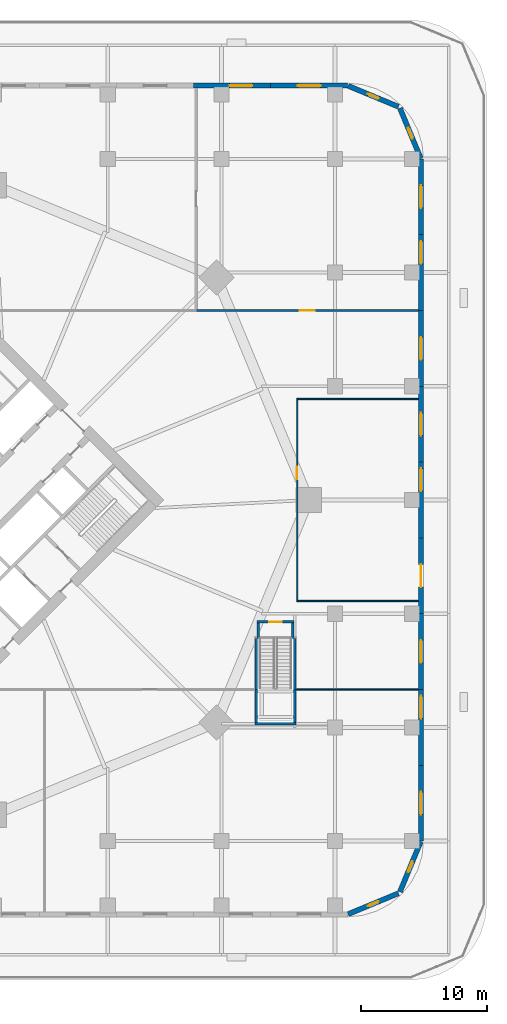
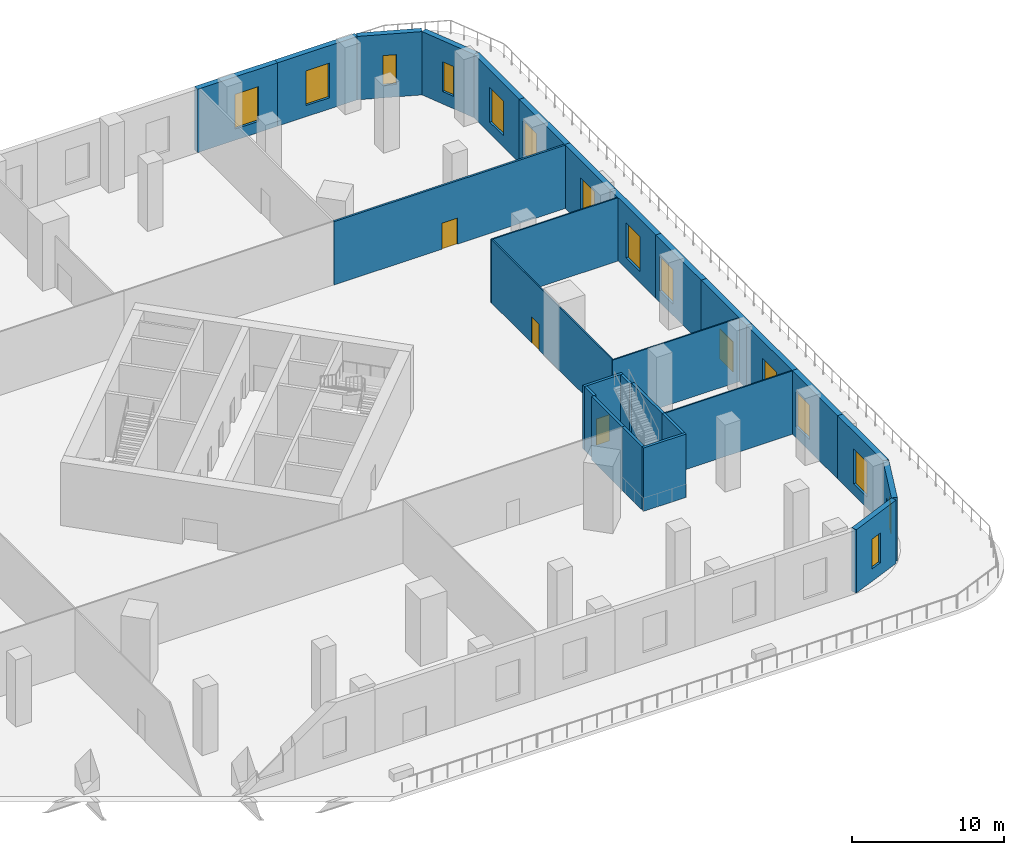
# One storey, part 12 of 20: 28 walls, 14 windows, 4 doors, 18 openings.
"""IFC4 building model written with IfcOpenShell, lengths in metres."""

from ifc_helpers import new_model, si_unit, direction, frame, frame_2d, origin, place, context, subcontext, project, spatial, rectangle, extrude, material, layer, layer_set, type_object, element, fill, save


model = new_model("IFC4")

# Units and contexts
model_context = context("Model", 3, precision=1e-05, world=origin(), true_north=direction((0.0, 1.0)))
body_context = subcontext(model_context, "Body", "Model", "MODEL_VIEW")
ifc_project = project(units=[si_unit("LENGTHUNIT", "METRE"), si_unit("AREAUNIT", "SQUARE_METRE"), si_unit("VOLUMEUNIT", "CUBIC_METRE"), si_unit("PLANEANGLEUNIT", "RADIAN"), si_unit("MASSUNIT", "GRAM", prefix="KILO")], contexts=[model_context])

# Site, building, storey
site_placement = place(None, origin())
site = spatial("IfcSite", under=ifc_project, at=site_placement, CompositionType="ELEMENT")
building_placement = place(site_placement, origin())
building = spatial("IfcBuilding", under=site, at=building_placement, Name="Ogive Gate Towers", CompositionType="ELEMENT")
storey_placement = place(building_placement, frame((0.0, 0.0, 7.199951171875)))
storey = spatial("IfcBuildingStorey", under=building, at=storey_placement, Name="L01", CompositionType="ELEMENT", Elevation=7.199951171875)

# Walls
ifc_material_1 = material(Name="Gypsum board partition")
ifc_layer_1 = layer(ifc_material_1, 0.10009765625)
ifc_layer_set_1 = layer_set([ifc_layer_1], Name="Partition wall 100")
wall_type_1 = type_object("IfcWallType", Name="Partition wall 100", PredefinedType="PARTITIONING", material=ifc_layer_set_1)
wall_1_placement = place(storey_placement, frame((59.89990234375, -15.0, 0.0), z_axis=(0.0, 0.0, 1.0), x_axis=(1.0, 0.0, 0.0)))
element("IfcWall", 1, at=wall_1_placement, inside=storey, type_object=wall_type_1, Name="L01 partition 043", PredefinedType="PARTITIONING", context=body_context, shape_type="SweptSolid", body=[
    extrude(rectangle(XDim=9.7001953125, YDim=0.10009765625, at=frame_2d((4.85009765625, 0.0))), origin(), (0.0, 0.0, 1.0), 5.10009765625),
])
for number, where, z_axis, x_axis, name in (
    (2, (59.949951171875, -8.0, 0.0), (0.0, 0.0, 1.0), (1.0, 0.0, 0.0), "L01 partition 047"),
    (3, (59.949951171875, 8.0, 0.0), (0.0, 0.0, 1.0), (1.0, 0.0, 0.0), "L01 partition 048"),
):
    element("IfcWall", number, at=place(storey_placement, frame(where, z_axis=z_axis, x_axis=x_axis)), inside=storey, type_object=wall_type_1, Name=name, PredefinedType="PARTITIONING", context=body_context, shape_type="SweptSolid", body=[
        extrude(rectangle(XDim=9.650146484375, YDim=0.10009765625, at=frame_2d((4.8251953125, 0.0))), origin(), (0.0, 0.0, 1.0), 5.10009765625),
    ])

# Wall, opening, door
wall_2_placement = place(storey_placement, frame((60.0, -7.949951171875, 0.0), z_axis=(0.0, 0.0, 1.0), x_axis=(0.0, 1.0, 0.0)))
wall_2 = element("IfcWall", 4, at=wall_2_placement, inside=storey, type_object=wall_type_1, Name="L01 partition 049", PredefinedType="PARTITIONING", context=body_context, shape_type="SweptSolid", body=[
    extrude(rectangle(XDim=15.89990234375, YDim=0.10009765625, at=frame_2d((7.949951171875, 0.0))), origin(), (0.0, 0.0, 1.0), 5.10009765625),
])
opening_1_placement = place(wall_2_placement, frame((9.594970703125, 0.0, 0.0)))
opening_1 = element("IfcOpeningElement", 5, at=opening_1_placement, cuts=wall_2, Name="Opening PO146", PredefinedType="OPENING", context=body_context, shape_type="SweptSolid", body=[
    extrude(rectangle(XDim=1.0, YDim=2.10009765625, at=frame_2d((0.5, 1.050048828125))), frame((0.0, 0.06005859375, 0.0), z_axis=(0.0, -1.0, 0.0), x_axis=(1.0, 0.0, 0.0)), (0.0, 0.0, 1.0), 0.1201171875),
])
ifc_material_2 = material(Name="Timber door", Category="wood")
door_type_1 = type_object("IfcDoorType", Name="Door 1000 x 2100", OperationType="NOTDEFINED", PredefinedType="DOOR", material=ifc_material_2)
door_1_placement = place(opening_1_placement, origin())
door_1 = element("IfcDoor", 6, at=door_1_placement, inside=storey, type_object=door_type_1, Name="Door PO146", OperationType="SINGLE_SWING_RIGHT", OverallHeight=2.10009765625, OverallWidth=1.0, PredefinedType="DOOR", context=body_context, shape_type="SweptSolid", body=[
    extrude(rectangle(XDim=1.0, YDim=2.10009765625, at=frame_2d((0.5, 1.050048828125))), frame((0.0, 0.02490234375, 0.0), z_axis=(0.0, -1.0, 0.0), x_axis=(1.0, 0.0, 0.0)), (0.0, 0.0, 1.0), 0.050048828125),
])
fill(opening_1, door_1)

ifc_material_3 = material(Name="Fire-rated gypsum board partition")
ifc_layer_2 = layer(ifc_material_3, 0.14990234375)
ifc_layer_set_2 = layer_set([ifc_layer_2], Name="Partition wall 150")
wall_type_2 = type_object("IfcWallType", Name="Partition wall 150", PredefinedType="PARTITIONING", material=ifc_layer_set_2)
wall_3_placement = place(storey_placement, frame((52.0, 15.0, 0.0), z_axis=(0.0, 0.0, 1.0), x_axis=(1.0, 0.0, 0.0)))
wall_3 = element("IfcWall", 7, at=wall_3_placement, inside=storey, type_object=wall_type_2, Name="L01 partition 027", PredefinedType="PARTITIONING", context=body_context, shape_type="SweptSolid", body=[
    extrude(rectangle(XDim=17.60009765625, YDim=0.14990234375, at=frame_2d((8.800048828125, 0.0))), origin(), (0.0, 0.0, 1.0), 5.10009765625),
])
opening_2_placement = place(wall_3_placement, frame((8.199951171875, 0.0, 0.0)))
opening_2 = element("IfcOpeningElement", 8, at=opening_2_placement, cuts=wall_3, Name="Opening PO139", PredefinedType="OPENING", context=body_context, shape_type="SweptSolid", body=[
    extrude(rectangle(XDim=1.199951171875, YDim=2.10009765625, at=frame_2d((0.60009765625, 1.050048828125))), frame((0.0, 0.0849609375, 0.0), z_axis=(0.0, -1.0, 0.0), x_axis=(1.0, 0.0, 0.0)), (0.0, 0.0, 1.0), 0.169921875),
])
ifc_material_4 = material(Name="Steel fire door", Category="steel")
door_type_2 = type_object("IfcDoorType", Name="Interior fire door FD60S 1200 x 2100", OperationType="NOTDEFINED", PredefinedType="DOOR", material=ifc_material_4)
door_2_placement = place(opening_2_placement, origin())
door_2 = element("IfcDoor", 9, at=door_2_placement, inside=storey, type_object=door_type_2, Name="Door PO139", OperationType="SINGLE_SWING_LEFT", OverallHeight=2.10009765625, OverallWidth=1.199951171875, PredefinedType="DOOR", context=body_context, shape_type="SweptSolid", body=[
    extrude(rectangle(XDim=1.199951171875, YDim=2.10009765625, at=frame_2d((0.60009765625, 1.050048828125))), frame((0.0, 0.02490234375, 0.0), z_axis=(0.0, -1.0, 0.0), x_axis=(1.0, 0.0, 0.0)), (0.0, 0.0, 1.0), 0.050048828125),
])
fill(opening_2, door_2)

# Wall, opening, window
ifc_material_5 = material(Name="Precast concrete C40/50", Category="concrete")
ifc_layer_3 = layer(ifc_material_5, 0.39990234375)
ifc_layer_set_3 = layer_set([ifc_layer_3], Name="Podium wall 400")
wall_type_3 = type_object("IfcWallType", Name="Podium wall 400", PredefinedType="SOLIDWALL", material=ifc_layer_set_3)
wall_4_placement = place(storey_placement, frame((64.036865234375, -32.784912109375, 0.0), z_axis=(0.0, 0.0, 1.0), x_axis=(0.923854820772, 0.382743086333, 0.0)))
wall_4 = element("IfcWall", 10, at=wall_4_placement, inside=storey, type_object=wall_type_3, Name="Podium wall", PredefinedType="SOLIDWALL", context=body_context, shape_type="SweptSolid", body=[
    extrude(rectangle(XDim=4.31640625, YDim=0.39990234375, at=frame_2d((2.158203125, 0.0))), origin(), (0.0, 0.0, 1.0), 5.10009765625),
])
opening_3_placement = place(wall_4_placement, frame((1.708251953125, 0.0, 1.0)))
opening_3 = element("IfcOpeningElement", 11, at=opening_3_placement, cuts=wall_4, Name="Opening WN5", PredefinedType="OPENING", context=body_context, shape_type="SweptSolid", body=[
    extrude(rectangle(XDim=0.89990234375, YDim=2.39990234375, at=frame_2d((0.449951171875, 1.199951171875))), frame((0.0, 0.2099609375, 0.0), z_axis=(0.0, -1.0, 0.0), x_axis=(1.0, 0.0, 0.0)), (0.0, 0.0, 1.0), 0.419921875),
])
ifc_material_6 = material(Name="Clear glass", Category="glass")
window_type_1 = type_object("IfcWindowType", Name="Narrow window 900 x 2400", PartitioningType="SINGLE_PANEL", PredefinedType="WINDOW", material=ifc_material_6)
window_1_placement = place(opening_3_placement, origin())
window_1 = element("IfcWindow", 12, at=window_1_placement, inside=storey, type_object=window_type_1, Name="Podium window", OverallHeight=2.39990234375, OverallWidth=0.89990234375, PartitioningType="SINGLE_PANEL", PredefinedType="WINDOW", context=body_context, shape_type="SweptSolid", body=[
    extrude(rectangle(XDim=0.89990234375, YDim=2.39990234375, at=frame_2d((0.449951171875, 1.199951171875))), frame((0.0, 0.030029296875, 0.0), z_axis=(0.0, -1.0, 0.0), x_axis=(1.0, 0.0, 0.0)), (0.0, 0.0, 1.0), 0.06005859375),
])
fill(opening_3, window_1)

wall_5_placement = place(storey_placement, frame((68.1328125, -31.024658203125, 0.0), z_axis=(0.0, 0.0, 1.0), x_axis=(0.382743086333, 0.923854820772, 0.0)))
wall_5 = element("IfcWall", 13, at=wall_5_placement, inside=storey, type_object=wall_type_3, Name="Podium wall", PredefinedType="SOLIDWALL", context=body_context, shape_type="SweptSolid", body=[
    extrude(rectangle(XDim=4.31640625, YDim=0.39990234375, at=frame_2d((2.158203125, 0.0))), origin(), (0.0, 0.0, 1.0), 5.10009765625),
])
opening_4_placement = place(wall_5_placement, frame((1.708251953125, 0.0, 1.0)))
opening_4 = element("IfcOpeningElement", 14, at=opening_4_placement, cuts=wall_5, Name="Opening WN5", PredefinedType="OPENING", context=body_context, shape_type="SweptSolid", body=[
    extrude(rectangle(XDim=0.89990234375, YDim=2.39990234375, at=frame_2d((0.449951171875, 1.199951171875))), frame((0.0, 0.2099609375, 0.0), z_axis=(0.0, -1.0, 0.0), x_axis=(1.0, 0.0, 0.0)), (0.0, 0.0, 1.0), 0.419921875),
])
window_2_placement = place(opening_4_placement, origin())
window_2 = element("IfcWindow", 15, at=window_2_placement, inside=storey, type_object=window_type_1, Name="Podium window", OverallHeight=2.39990234375, OverallWidth=0.89990234375, PartitioningType="SINGLE_PANEL", PredefinedType="WINDOW", context=body_context, shape_type="SweptSolid", body=[
    extrude(rectangle(XDim=0.89990234375, YDim=2.39990234375, at=frame_2d((0.449951171875, 1.199951171875))), frame((0.0, 0.030029296875, 0.0), z_axis=(0.0, -1.0, 0.0), x_axis=(1.0, 0.0, 0.0)), (0.0, 0.0, 1.0), 0.06005859375),
])
fill(opening_4, window_2)

wall_6_placement = place(storey_placement, frame((69.800048828125, -27.0, 0.0), z_axis=(0.0, 0.0, 1.0), x_axis=(0.0, 1.0, 0.0)))
wall_6 = element("IfcWall", 16, at=wall_6_placement, inside=storey, type_object=wall_type_3, Name="Podium wall", PredefinedType="SOLIDWALL", context=body_context, shape_type="SweptSolid", body=[
    extrude(rectangle(XDim=6.0, YDim=0.39990234375, at=frame_2d((3.0, 0.0))), origin(), (0.0, 0.0, 1.0), 5.10009765625),
])
opening_5_placement = place(wall_6_placement, frame((2.10009765625, 0.0, 0.89990234375)))
opening_5 = element("IfcOpeningElement", 17, at=opening_5_placement, cuts=wall_6, Name="Opening WN1", PredefinedType="OPENING", context=body_context, shape_type="SweptSolid", body=[
    extrude(rectangle(XDim=1.800048828125, YDim=2.800048828125, at=frame_2d((0.89990234375, 1.39990234375))), frame((0.0, 0.2099609375, 0.0), z_axis=(0.0, -1.0, 0.0), x_axis=(1.0, 0.0, 0.0)), (0.0, 0.0, 1.0), 0.419921875),
])
window_type_2 = type_object("IfcWindowType", Name="Podium window 1800 x 2800", PartitioningType="SINGLE_PANEL", PredefinedType="WINDOW", material=ifc_material_6)
window_3_placement = place(opening_5_placement, origin())
window_3 = element("IfcWindow", 18, at=window_3_placement, inside=storey, type_object=window_type_2, Name="Podium window", OverallHeight=2.800048828125, OverallWidth=1.800048828125, PartitioningType="SINGLE_PANEL", PredefinedType="WINDOW", context=body_context, shape_type="SweptSolid", body=[
    extrude(rectangle(XDim=1.800048828125, YDim=2.800048828125, at=frame_2d((0.89990234375, 1.39990234375))), frame((0.0, 0.030029296875, 0.0), z_axis=(0.0, -1.0, 0.0), x_axis=(1.0, 0.0, 0.0)), (0.0, 0.0, 1.0), 0.06005859375),
])
fill(opening_5, window_3)

wall_7_placement = place(storey_placement, frame((69.800048828125, -21.0, 0.0), z_axis=(0.0, 0.0, 1.0), x_axis=(0.0, 1.0, 0.0)))
wall_7 = element("IfcWall", 19, at=wall_7_placement, inside=storey, type_object=wall_type_3, Name="Podium wall", PredefinedType="SOLIDWALL", context=body_context, shape_type="SweptSolid", body=[
    extrude(rectangle(XDim=6.0, YDim=0.39990234375, at=frame_2d((3.0, 0.0))), origin(), (0.0, 0.0, 1.0), 5.10009765625),
])
opening_6_placement = place(wall_7_placement, frame((3.699951171875, 0.0, 0.89990234375)))
opening_6 = element("IfcOpeningElement", 20, at=opening_6_placement, cuts=wall_7, Name="Opening WN1", PredefinedType="OPENING", context=body_context, shape_type="SweptSolid", body=[
    extrude(rectangle(XDim=1.800048828125, YDim=2.800048828125, at=frame_2d((0.89990234375, 1.39990234375))), frame((0.0, 0.2099609375, 0.0), z_axis=(0.0, -1.0, 0.0), x_axis=(1.0, 0.0, 0.0)), (0.0, 0.0, 1.0), 0.419921875),
])
window_4_placement = place(opening_6_placement, origin())
window_4 = element("IfcWindow", 21, at=window_4_placement, inside=storey, type_object=window_type_2, Name="Podium window", OverallHeight=2.800048828125, OverallWidth=1.800048828125, PartitioningType="SINGLE_PANEL", PredefinedType="WINDOW", context=body_context, shape_type="SweptSolid", body=[
    extrude(rectangle(XDim=1.800048828125, YDim=2.800048828125, at=frame_2d((0.89990234375, 1.39990234375))), frame((0.0, 0.030029296875, 0.0), z_axis=(0.0, -1.0, 0.0), x_axis=(1.0, 0.0, 0.0)), (0.0, 0.0, 1.0), 0.06005859375),
])
fill(opening_6, window_4)

wall_8_placement = place(storey_placement, frame((69.800048828125, -15.0, 0.0), z_axis=(0.0, 0.0, 1.0), x_axis=(0.0, 1.0, 0.0)))
wall_8 = element("IfcWall", 22, at=wall_8_placement, inside=storey, type_object=wall_type_3, Name="Podium wall", PredefinedType="SOLIDWALL", context=body_context, shape_type="SweptSolid", body=[
    extrude(rectangle(XDim=6.0, YDim=0.39990234375, at=frame_2d((3.0, 0.0))), origin(), (0.0, 0.0, 1.0), 5.10009765625),
])
opening_7_placement = place(wall_8_placement, frame((2.10009765625, 0.0, 0.89990234375)))
opening_7 = element("IfcOpeningElement", 23, at=opening_7_placement, cuts=wall_8, Name="Opening WN1", PredefinedType="OPENING", context=body_context, shape_type="SweptSolid", body=[
    extrude(rectangle(XDim=1.800048828125, YDim=2.800048828125, at=frame_2d((0.89990234375, 1.39990234375))), frame((0.0, 0.2099609375, 0.0), z_axis=(0.0, -1.0, 0.0), x_axis=(1.0, 0.0, 0.0)), (0.0, 0.0, 1.0), 0.419921875),
])
window_5_placement = place(opening_7_placement, origin())
window_5 = element("IfcWindow", 24, at=window_5_placement, inside=storey, type_object=window_type_2, Name="Podium window", OverallHeight=2.800048828125, OverallWidth=1.800048828125, PartitioningType="SINGLE_PANEL", PredefinedType="WINDOW", context=body_context, shape_type="SweptSolid", body=[
    extrude(rectangle(XDim=1.800048828125, YDim=2.800048828125, at=frame_2d((0.89990234375, 1.39990234375))), frame((0.0, 0.030029296875, 0.0), z_axis=(0.0, -1.0, 0.0), x_axis=(1.0, 0.0, 0.0)), (0.0, 0.0, 1.0), 0.06005859375),
])
fill(opening_7, window_5)

# Wall, opening, door
wall_9_placement = place(storey_placement, frame((69.800048828125, -9.0, 0.0), z_axis=(0.0, 0.0, 1.0), x_axis=(0.0, 1.0, 0.0)))
wall_9 = element("IfcWall", 25, at=wall_9_placement, inside=storey, type_object=wall_type_3, Name="Podium wall", PredefinedType="SOLIDWALL", context=body_context, shape_type="SweptSolid", body=[
    extrude(rectangle(XDim=6.0, YDim=0.39990234375, at=frame_2d((3.0, 0.0))), origin(), (0.0, 0.0, 1.0), 5.10009765625),
])
opening_8_placement = place(wall_9_placement, frame((2.10009765625, 0.0, 0.0)))
opening_8 = element("IfcOpeningElement", 26, at=opening_8_placement, cuts=wall_9, Name="Opening ED3-L01-01", PredefinedType="OPENING", context=body_context, shape_type="SweptSolid", body=[
    extrude(rectangle(XDim=1.800048828125, YDim=2.39990234375, at=frame_2d((0.89990234375, 1.199951171875))), frame((0.0, 0.2099609375, 0.0), z_axis=(0.0, -1.0, 0.0), x_axis=(1.0, 0.0, 0.0)), (0.0, 0.0, 1.0), 0.419921875),
])
ifc_material_7 = material(Name="Pale metal aluminium", Category="aluminium")
door_type_3 = type_object("IfcDoorType", Name="Terrace door 1800 x 2400", OperationType="DOUBLE_DOOR_SINGLE_SWING", PredefinedType="DOOR", material=ifc_material_7)
door_3_placement = place(opening_8_placement, origin())
door_3 = element("IfcDoor", 27, at=door_3_placement, inside=storey, type_object=door_type_3, Name="Exterior door", OperationType="SINGLE_SWING_LEFT", OverallHeight=2.39990234375, OverallWidth=1.800048828125, PredefinedType="DOOR", context=body_context, shape_type="SweptSolid", body=[
    extrude(rectangle(XDim=1.800048828125, YDim=2.39990234375, at=frame_2d((0.89990234375, 1.199951171875))), frame((0.0, 0.02490234375, 0.0), z_axis=(0.0, -1.0, 0.0), x_axis=(1.0, 0.0, 0.0)), (0.0, 0.0, 1.0), 0.050048828125),
])
fill(opening_8, door_3)

# Wall, opening, window
wall_10_placement = place(storey_placement, frame((69.800048828125, -3.0, 0.0), z_axis=(0.0, 0.0, 1.0), x_axis=(0.0, 1.0, 0.0)))
wall_10 = element("IfcWall", 28, at=wall_10_placement, inside=storey, type_object=wall_type_3, Name="Podium wall", PredefinedType="SOLIDWALL", context=body_context, shape_type="SweptSolid", body=[
    extrude(rectangle(XDim=6.0, YDim=0.39990234375, at=frame_2d((3.0, 0.0))), origin(), (0.0, 0.0, 1.0), 5.10009765625),
])
opening_9_placement = place(wall_10_placement, frame((3.699951171875, 0.0, 0.89990234375)))
opening_9 = element("IfcOpeningElement", 29, at=opening_9_placement, cuts=wall_10, Name="Opening WN1", PredefinedType="OPENING", context=body_context, shape_type="SweptSolid", body=[
    extrude(rectangle(XDim=1.800048828125, YDim=2.800048828125, at=frame_2d((0.89990234375, 1.39990234375))), frame((0.0, 0.2099609375, 0.0), z_axis=(0.0, -1.0, 0.0), x_axis=(1.0, 0.0, 0.0)), (0.0, 0.0, 1.0), 0.419921875),
])
window_6_placement = place(opening_9_placement, origin())
window_6 = element("IfcWindow", 30, at=window_6_placement, inside=storey, type_object=window_type_2, Name="Podium window", OverallHeight=2.800048828125, OverallWidth=1.800048828125, PartitioningType="SINGLE_PANEL", PredefinedType="WINDOW", context=body_context, shape_type="SweptSolid", body=[
    extrude(rectangle(XDim=1.800048828125, YDim=2.800048828125, at=frame_2d((0.89990234375, 1.39990234375))), frame((0.0, 0.030029296875, 0.0), z_axis=(0.0, -1.0, 0.0), x_axis=(1.0, 0.0, 0.0)), (0.0, 0.0, 1.0), 0.06005859375),
])
fill(opening_9, window_6)

wall_11_placement = place(storey_placement, frame((69.800048828125, 3.0, 0.0), z_axis=(0.0, 0.0, 1.0), x_axis=(0.0, 1.0, 0.0)))
wall_11 = element("IfcWall", 31, at=wall_11_placement, inside=storey, type_object=wall_type_3, Name="Podium wall", PredefinedType="SOLIDWALL", context=body_context, shape_type="SweptSolid", body=[
    extrude(rectangle(XDim=6.0, YDim=0.39990234375, at=frame_2d((3.0, 0.0))), origin(), (0.0, 0.0, 1.0), 5.10009765625),
])
opening_10_placement = place(wall_11_placement, frame((2.10009765625, 0.0, 0.89990234375)))
opening_10 = element("IfcOpeningElement", 32, at=opening_10_placement, cuts=wall_11, Name="Opening WN1", PredefinedType="OPENING", context=body_context, shape_type="SweptSolid", body=[
    extrude(rectangle(XDim=1.800048828125, YDim=2.800048828125, at=frame_2d((0.89990234375, 1.39990234375))), frame((0.0, 0.2099609375, 0.0), z_axis=(0.0, -1.0, 0.0), x_axis=(1.0, 0.0, 0.0)), (0.0, 0.0, 1.0), 0.419921875),
])
window_7_placement = place(opening_10_placement, origin())
window_7 = element("IfcWindow", 33, at=window_7_placement, inside=storey, type_object=window_type_2, Name="Podium window", OverallHeight=2.800048828125, OverallWidth=1.800048828125, PartitioningType="SINGLE_PANEL", PredefinedType="WINDOW", context=body_context, shape_type="SweptSolid", body=[
    extrude(rectangle(XDim=1.800048828125, YDim=2.800048828125, at=frame_2d((0.89990234375, 1.39990234375))), frame((0.0, 0.030029296875, 0.0), z_axis=(0.0, -1.0, 0.0), x_axis=(1.0, 0.0, 0.0)), (0.0, 0.0, 1.0), 0.06005859375),
])
fill(opening_10, window_7)

wall_12_placement = place(storey_placement, frame((69.800048828125, 9.0, 0.0), z_axis=(0.0, 0.0, 1.0), x_axis=(0.0, 1.0, 0.0)))
wall_12 = element("IfcWall", 34, at=wall_12_placement, inside=storey, type_object=wall_type_3, Name="Podium wall", PredefinedType="SOLIDWALL", context=body_context, shape_type="SweptSolid", body=[
    extrude(rectangle(XDim=6.0, YDim=0.39990234375, at=frame_2d((3.0, 0.0))), origin(), (0.0, 0.0, 1.0), 5.10009765625),
])
opening_11_placement = place(wall_12_placement, frame((2.10009765625, 0.0, 0.89990234375)))
opening_11 = element("IfcOpeningElement", 35, at=opening_11_placement, cuts=wall_12, Name="Opening WN1", PredefinedType="OPENING", context=body_context, shape_type="SweptSolid", body=[
    extrude(rectangle(XDim=1.800048828125, YDim=2.800048828125, at=frame_2d((0.89990234375, 1.39990234375))), frame((0.0, 0.2099609375, 0.0), z_axis=(0.0, -1.0, 0.0), x_axis=(1.0, 0.0, 0.0)), (0.0, 0.0, 1.0), 0.419921875),
])
window_8_placement = place(opening_11_placement, origin())
window_8 = element("IfcWindow", 36, at=window_8_placement, inside=storey, type_object=window_type_2, Name="Podium window", OverallHeight=2.800048828125, OverallWidth=1.800048828125, PartitioningType="SINGLE_PANEL", PredefinedType="WINDOW", context=body_context, shape_type="SweptSolid", body=[
    extrude(rectangle(XDim=1.800048828125, YDim=2.800048828125, at=frame_2d((0.89990234375, 1.39990234375))), frame((0.0, 0.030029296875, 0.0), z_axis=(0.0, -1.0, 0.0), x_axis=(1.0, 0.0, 0.0)), (0.0, 0.0, 1.0), 0.06005859375),
])
fill(opening_11, window_8)

wall_13_placement = place(storey_placement, frame((69.800048828125, 15.0, 0.0), z_axis=(0.0, 0.0, 1.0), x_axis=(0.0, 1.0, 0.0)))
wall_13 = element("IfcWall", 37, at=wall_13_placement, inside=storey, type_object=wall_type_3, Name="Podium wall", PredefinedType="SOLIDWALL", context=body_context, shape_type="SweptSolid", body=[
    extrude(rectangle(XDim=6.0, YDim=0.39990234375, at=frame_2d((3.0, 0.0))), origin(), (0.0, 0.0, 1.0), 5.10009765625),
])
opening_12_placement = place(wall_13_placement, frame((3.699951171875, 0.0, 0.89990234375)))
opening_12 = element("IfcOpeningElement", 38, at=opening_12_placement, cuts=wall_13, Name="Opening WN1", PredefinedType="OPENING", context=body_context, shape_type="SweptSolid", body=[
    extrude(rectangle(XDim=1.800048828125, YDim=2.800048828125, at=frame_2d((0.89990234375, 1.39990234375))), frame((0.0, 0.2099609375, 0.0), z_axis=(0.0, -1.0, 0.0), x_axis=(1.0, 0.0, 0.0)), (0.0, 0.0, 1.0), 0.419921875),
])
window_9_placement = place(opening_12_placement, origin())
window_9 = element("IfcWindow", 39, at=window_9_placement, inside=storey, type_object=window_type_2, Name="Podium window", OverallHeight=2.800048828125, OverallWidth=1.800048828125, PartitioningType="SINGLE_PANEL", PredefinedType="WINDOW", context=body_context, shape_type="SweptSolid", body=[
    extrude(rectangle(XDim=1.800048828125, YDim=2.800048828125, at=frame_2d((0.89990234375, 1.39990234375))), frame((0.0, 0.030029296875, 0.0), z_axis=(0.0, -1.0, 0.0), x_axis=(1.0, 0.0, 0.0)), (0.0, 0.0, 1.0), 0.06005859375),
])
fill(opening_12, window_9)

wall_14_placement = place(storey_placement, frame((69.800048828125, 21.0, 0.0), z_axis=(0.0, 0.0, 1.0), x_axis=(0.0, 1.0, 0.0)))
wall_14 = element("IfcWall", 40, at=wall_14_placement, inside=storey, type_object=wall_type_3, Name="Podium wall", PredefinedType="SOLIDWALL", context=body_context, shape_type="SweptSolid", body=[
    extrude(rectangle(XDim=6.0, YDim=0.39990234375, at=frame_2d((3.0, 0.0))), origin(), (0.0, 0.0, 1.0), 5.10009765625),
])
opening_13_placement = place(wall_14_placement, frame((2.10009765625, 0.0, 0.89990234375)))
opening_13 = element("IfcOpeningElement", 41, at=opening_13_placement, cuts=wall_14, Name="Opening WN1", PredefinedType="OPENING", context=body_context, shape_type="SweptSolid", body=[
    extrude(rectangle(XDim=1.800048828125, YDim=2.800048828125, at=frame_2d((0.89990234375, 1.39990234375))), frame((0.0, 0.2099609375, 0.0), z_axis=(0.0, -1.0, 0.0), x_axis=(1.0, 0.0, 0.0)), (0.0, 0.0, 1.0), 0.419921875),
])
window_10_placement = place(opening_13_placement, origin())
window_10 = element("IfcWindow", 42, at=window_10_placement, inside=storey, type_object=window_type_2, Name="Podium window", OverallHeight=2.800048828125, OverallWidth=1.800048828125, PartitioningType="SINGLE_PANEL", PredefinedType="WINDOW", context=body_context, shape_type="SweptSolid", body=[
    extrude(rectangle(XDim=1.800048828125, YDim=2.800048828125, at=frame_2d((0.89990234375, 1.39990234375))), frame((0.0, 0.030029296875, 0.0), z_axis=(0.0, -1.0, 0.0), x_axis=(1.0, 0.0, 0.0)), (0.0, 0.0, 1.0), 0.06005859375),
])
fill(opening_13, window_10)

wall_15_placement = place(storey_placement, frame((69.784912109375, 27.036865234375, 0.0), z_axis=(0.0, 0.0, 1.0), x_axis=(-0.382743086333, 0.923854820772, 0.0)))
wall_15 = element("IfcWall", 43, at=wall_15_placement, inside=storey, type_object=wall_type_3, Name="Podium wall", PredefinedType="SOLIDWALL", context=body_context, shape_type="SweptSolid", body=[
    extrude(rectangle(XDim=4.31640625, YDim=0.39990234375, at=frame_2d((2.158203125, 0.0))), origin(), (0.0, 0.0, 1.0), 5.10009765625),
])
opening_14_placement = place(wall_15_placement, frame((1.708251953125, 0.0, 1.0)))
opening_14 = element("IfcOpeningElement", 44, at=opening_14_placement, cuts=wall_15, Name="Opening WN5", PredefinedType="OPENING", context=body_context, shape_type="SweptSolid", body=[
    extrude(rectangle(XDim=0.89990234375, YDim=2.39990234375, at=frame_2d((0.449951171875, 1.199951171875))), frame((0.0, 0.2099609375, 0.0), z_axis=(0.0, -1.0, 0.0), x_axis=(1.0, 0.0, 0.0)), (0.0, 0.0, 1.0), 0.419921875),
])
window_11_placement = place(opening_14_placement, origin())
window_11 = element("IfcWindow", 45, at=window_11_placement, inside=storey, type_object=window_type_1, Name="Podium window", OverallHeight=2.39990234375, OverallWidth=0.89990234375, PartitioningType="SINGLE_PANEL", PredefinedType="WINDOW", context=body_context, shape_type="SweptSolid", body=[
    extrude(rectangle(XDim=0.89990234375, YDim=2.39990234375, at=frame_2d((0.449951171875, 1.199951171875))), frame((0.0, 0.030029296875, 0.0), z_axis=(0.0, -1.0, 0.0), x_axis=(1.0, 0.0, 0.0)), (0.0, 0.0, 1.0), 0.06005859375),
])
fill(opening_14, window_11)

wall_16_placement = place(storey_placement, frame((68.024658203125, 31.1328125, 0.0), z_axis=(0.0, 0.0, 1.0), x_axis=(-0.923854820772, 0.382743086333, 0.0)))
wall_16 = element("IfcWall", 46, at=wall_16_placement, inside=storey, type_object=wall_type_3, Name="Podium wall", PredefinedType="SOLIDWALL", context=body_context, shape_type="SweptSolid", body=[
    extrude(rectangle(XDim=4.31640625, YDim=0.39990234375, at=frame_2d((2.158203125, 0.0))), origin(), (0.0, 0.0, 1.0), 5.10009765625),
])
opening_15_placement = place(wall_16_placement, frame((1.708251953125, 0.0, 1.0)))
opening_15 = element("IfcOpeningElement", 47, at=opening_15_placement, cuts=wall_16, Name="Opening WN5", PredefinedType="OPENING", context=body_context, shape_type="SweptSolid", body=[
    extrude(rectangle(XDim=0.89990234375, YDim=2.39990234375, at=frame_2d((0.449951171875, 1.199951171875))), frame((0.0, 0.2099609375, 0.0), z_axis=(0.0, -1.0, 0.0), x_axis=(1.0, 0.0, 0.0)), (0.0, 0.0, 1.0), 0.419921875),
])
window_12_placement = place(opening_15_placement, origin())
window_12 = element("IfcWindow", 48, at=window_12_placement, inside=storey, type_object=window_type_1, Name="Podium window", OverallHeight=2.39990234375, OverallWidth=0.89990234375, PartitioningType="SINGLE_PANEL", PredefinedType="WINDOW", context=body_context, shape_type="SweptSolid", body=[
    extrude(rectangle(XDim=0.89990234375, YDim=2.39990234375, at=frame_2d((0.449951171875, 1.199951171875))), frame((0.0, 0.030029296875, 0.0), z_axis=(0.0, -1.0, 0.0), x_axis=(1.0, 0.0, 0.0)), (0.0, 0.0, 1.0), 0.06005859375),
])
fill(opening_15, window_12)

wall_17_placement = place(storey_placement, frame((64.0, 32.800048828125, 0.0), z_axis=(0.0, 0.0, 1.0), x_axis=(-1.0, 0.0, 0.0)))
wall_17 = element("IfcWall", 49, at=wall_17_placement, inside=storey, type_object=wall_type_3, Name="Podium wall", PredefinedType="SOLIDWALL", context=body_context, shape_type="SweptSolid", body=[
    extrude(rectangle(XDim=6.09521484375, YDim=0.39990234375, at=frame_2d((3.047607421875, 0.0))), origin(), (0.0, 0.0, 1.0), 5.10009765625),
])
opening_16_placement = place(wall_17_placement, frame((2.147705078125, 0.0, 0.89990234375)))
opening_16 = element("IfcOpeningElement", 50, at=opening_16_placement, cuts=wall_17, Name="Opening WN1", PredefinedType="OPENING", context=body_context, shape_type="SweptSolid", body=[
    extrude(rectangle(XDim=1.800048828125, YDim=2.800048828125, at=frame_2d((0.89990234375, 1.39990234375))), frame((0.0, 0.2099609375, 0.0), z_axis=(0.0, -1.0, 0.0), x_axis=(1.0, 0.0, 0.0)), (0.0, 0.0, 1.0), 0.419921875),
])
window_13_placement = place(opening_16_placement, origin())
window_13 = element("IfcWindow", 51, at=window_13_placement, inside=storey, type_object=window_type_2, Name="Podium window", OverallHeight=2.800048828125, OverallWidth=1.800048828125, PartitioningType="SINGLE_PANEL", PredefinedType="WINDOW", context=body_context, shape_type="SweptSolid", body=[
    extrude(rectangle(XDim=1.800048828125, YDim=2.800048828125, at=frame_2d((0.89990234375, 1.39990234375))), frame((0.0, 0.030029296875, 0.0), z_axis=(0.0, -1.0, 0.0), x_axis=(1.0, 0.0, 0.0)), (0.0, 0.0, 1.0), 0.06005859375),
])
fill(opening_16, window_13)

wall_18_placement = place(storey_placement, frame((57.90478515625, 32.800048828125, 0.0), z_axis=(0.0, 0.0, 1.0), x_axis=(-1.0, 0.0, 0.0)))
wall_18 = element("IfcWall", 52, at=wall_18_placement, inside=storey, type_object=wall_type_3, Name="Podium wall", PredefinedType="SOLIDWALL", context=body_context, shape_type="SweptSolid", body=[
    extrude(rectangle(XDim=6.09521484375, YDim=0.39990234375, at=frame_2d((3.047607421875, 0.0))), origin(), (0.0, 0.0, 1.0), 5.10009765625),
])
opening_17_placement = place(wall_18_placement, frame((1.447509765625, 0.0, 0.89990234375)))
opening_17 = element("IfcOpeningElement", 53, at=opening_17_placement, cuts=wall_18, Name="Opening WN1", PredefinedType="OPENING", context=body_context, shape_type="SweptSolid", body=[
    extrude(rectangle(XDim=1.800048828125, YDim=2.800048828125, at=frame_2d((0.89990234375, 1.39990234375))), frame((0.0, 0.2099609375, 0.0), z_axis=(0.0, -1.0, 0.0), x_axis=(1.0, 0.0, 0.0)), (0.0, 0.0, 1.0), 0.419921875),
])
window_14_placement = place(opening_17_placement, origin())
window_14 = element("IfcWindow", 54, at=window_14_placement, inside=storey, type_object=window_type_2, Name="Podium window", OverallHeight=2.800048828125, OverallWidth=1.800048828125, PartitioningType="SINGLE_PANEL", PredefinedType="WINDOW", context=body_context, shape_type="SweptSolid", body=[
    extrude(rectangle(XDim=1.800048828125, YDim=2.800048828125, at=frame_2d((0.89990234375, 1.39990234375))), frame((0.0, 0.030029296875, 0.0), z_axis=(0.0, -1.0, 0.0), x_axis=(1.0, 0.0, 0.0)), (0.0, 0.0, 1.0), 0.06005859375),
])
fill(opening_17, window_14)

# Walls
ifc_material_8 = material(Name="Reinforced concrete C32/40", Category="concrete")
ifc_layer_4 = layer(ifc_material_8, 0.199951171875)
ifc_layer_set_4 = layer_set([ifc_layer_4], Name="Stair shaft wall 200")
wall_type_4 = type_object("IfcWallType", Name="Stair shaft wall 200", PredefinedType="SOLIDWALL", material=ifc_layer_set_4)
wall_19_placement = place(storey_placement, frame((56.64990234375, -17.719970703125, 0.0), z_axis=(0.0, 0.0, 1.0), x_axis=(1.0, 0.0, 0.0)))
element("IfcWall", 55, at=wall_19_placement, inside=storey, type_object=wall_type_4, Name="L01 stair shaft wall 009", PredefinedType="SOLIDWALL", context=body_context, shape_type="SweptSolid", body=[
    extrude(rectangle(XDim=3.25, YDim=0.199951171875, at=frame_2d((1.625, 0.0))), origin(), (0.0, 0.0, 1.0), 5.10009765625),
])
for number, where, z_axis, x_axis, name in (
    (56, (56.75, -17.6201171875, 0.0), (0.0, 0.0, 1.0), (0.0, 1.0, 0.0), "L01 stair shaft wall 010"),
    (57, (59.800048828125, -17.6201171875, 0.0), (0.0, 0.0, 1.0), (0.0, 1.0, 0.0), "L01 stair shaft wall 011"),
):
    element("IfcWall", number, at=place(storey_placement, frame(where, z_axis=z_axis, x_axis=x_axis)), inside=storey, type_object=wall_type_4, Name=name, PredefinedType="SOLIDWALL", context=body_context, shape_type="SweptSolid", body=[
        extrude(rectangle(XDim=2.6201171875, YDim=0.199951171875, at=frame_2d((1.31005859375, 0.0))), origin(), (0.0, 0.0, 1.0), 5.10009765625),
    ])

# Wall, opening, door
wall_20_placement = place(storey_placement, frame((56.800048828125, -9.64990234375, 0.0), z_axis=(0.0, 0.0, 1.0), x_axis=(1.0, 0.0, 0.0)))
wall_20 = element("IfcWall", 58, at=wall_20_placement, inside=storey, type_object=wall_type_4, Name="L01 stair shaft wall 012", PredefinedType="SOLIDWALL", context=body_context, shape_type="SweptSolid", body=[
    extrude(rectangle(XDim=2.949951171875, YDim=0.199951171875, at=frame_2d((1.47509765625, 0.0))), origin(), (0.0, 0.0, 1.0), 5.10009765625),
])
opening_18_placement = place(wall_20_placement, frame((0.97509765625, 0.0, 0.0)))
opening_18 = element("IfcOpeningElement", 59, at=opening_18_placement, cuts=wall_20, Name="Opening PO133", PredefinedType="OPENING", context=body_context, shape_type="SweptSolid", body=[
    extrude(rectangle(XDim=1.0, YDim=2.10009765625, at=frame_2d((0.5, 1.050048828125))), frame((0.0, 0.10986328125, 0.0), z_axis=(0.0, -1.0, 0.0), x_axis=(1.0, 0.0, 0.0)), (0.0, 0.0, 1.0), 0.219970703125),
])
door_type_4 = type_object("IfcDoorType", Name="Interior fire door FD120S 1000 x 2100", OperationType="NOTDEFINED", PredefinedType="DOOR", material=ifc_material_4)
door_4_placement = place(opening_18_placement, origin())
door_4 = element("IfcDoor", 60, at=door_4_placement, inside=storey, type_object=door_type_4, Name="Door PO133", OperationType="SINGLE_SWING_LEFT", OverallHeight=2.10009765625, OverallWidth=1.0, PredefinedType="DOOR", context=body_context, shape_type="SweptSolid", body=[
    extrude(rectangle(XDim=1.0, YDim=2.10009765625, at=frame_2d((0.5, 1.050048828125))), frame((0.0, 0.02490234375, 0.0), z_axis=(0.0, -1.0, 0.0), x_axis=(1.0, 0.0, 0.0)), (0.0, 0.0, 1.0), 0.050048828125),
])
fill(opening_18, door_4)

# Walls
wall_21_placement = place(storey_placement, frame((56.75, -15.0, 0.0), z_axis=(0.0, 0.0, 1.0), x_axis=(0.0, 1.0, 0.0)))
element("IfcWall", 61, at=wall_21_placement, inside=storey, type_object=wall_type_4, Name="L01 stair shaft wall 013", PredefinedType="SOLIDWALL", context=body_context, shape_type="SweptSolid", body=[
    extrude(rectangle(XDim=4.034912109375, YDim=0.199951171875, at=frame_2d((2.017578125, 0.0))), origin(), (0.0, 0.0, 1.0), 5.10009765625),
])
for number, where, z_axis, x_axis, name in (
    (62, (56.89990234375, -10.965087890625, 0.0), (0.0, 0.0, 1.0), (0.0, 1.0, 0.0), "L01 stair shaft wall 014"),
    (63, (59.64990234375, -10.965087890625, 0.0), (0.0, 0.0, 1.0), (0.0, 1.0, 0.0), "L01 stair shaft wall 015"),
):
    element("IfcWall", number, at=place(storey_placement, frame(where, z_axis=z_axis, x_axis=x_axis)), inside=storey, type_object=wall_type_4, Name=name, PredefinedType="SOLIDWALL", context=body_context, shape_type="SweptSolid", body=[
        extrude(rectangle(XDim=1.215087890625, YDim=0.199951171875, at=frame_2d((0.607421875, 0.0))), origin(), (0.0, 0.0, 1.0), 5.10009765625),
    ])
wall_22_placement = place(storey_placement, frame((59.800048828125, -15.0, 0.0), z_axis=(0.0, 0.0, 1.0), x_axis=(0.0, 1.0, 0.0)))
element("IfcWall", 64, at=wall_22_placement, inside=storey, type_object=wall_type_4, Name="L01 stair shaft wall 016", PredefinedType="SOLIDWALL", context=body_context, shape_type="SweptSolid", body=[
    extrude(rectangle(XDim=4.034912109375, YDim=0.199951171875, at=frame_2d((2.017578125, 0.0))), origin(), (0.0, 0.0, 1.0), 5.10009765625),
])

save(model, "model.ifc")
